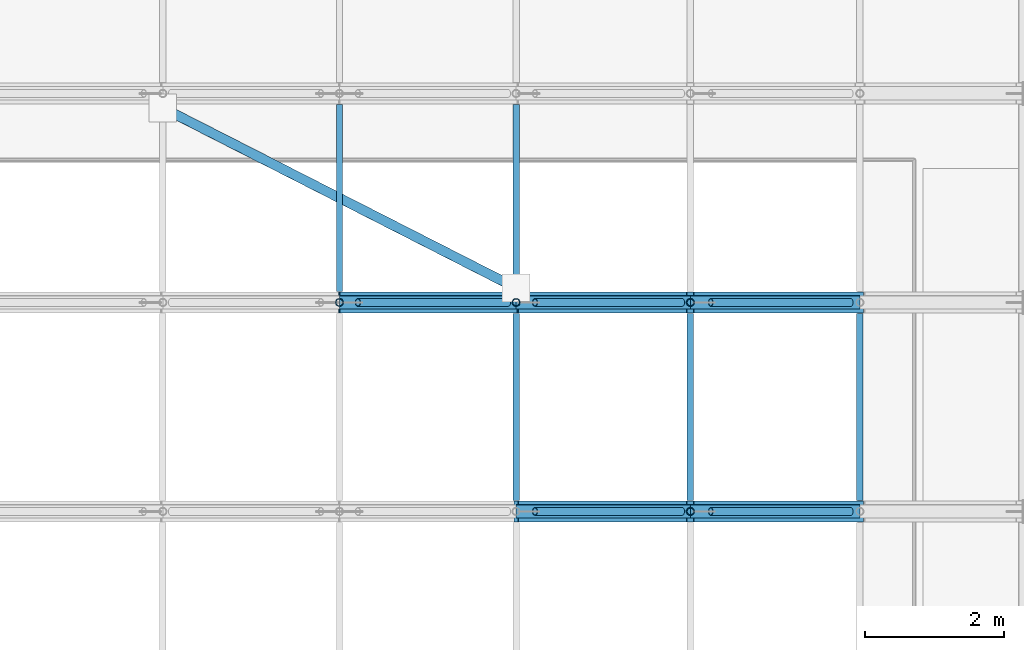
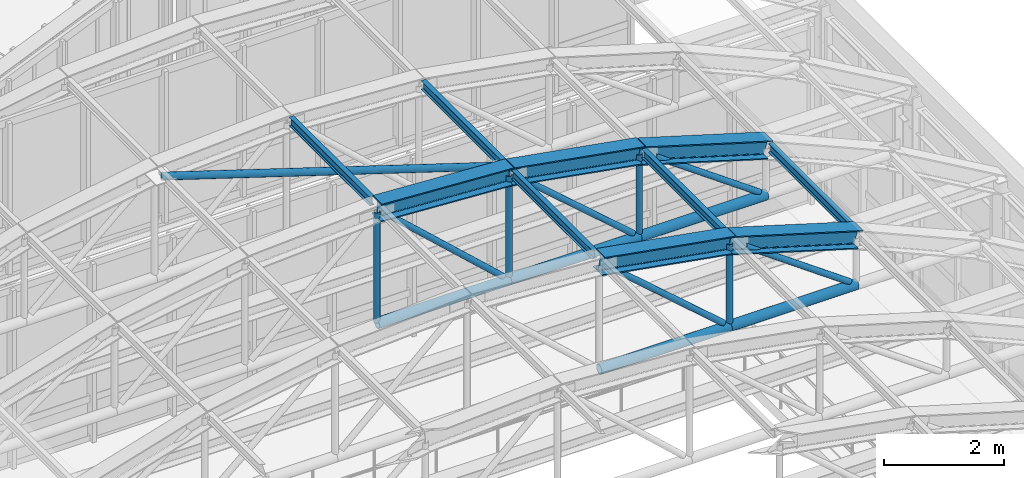
# One storey, part 68 of 148: 15 members, 10 beams.
"""IFC4 building model written with IfcOpenShell, lengths in metres."""

from ifc_helpers import new_model, si_unit, direction, frame, origin, origin_2d, place, context, subcontext, project, spatial, hollow_circle, i_section, extrude, material, material_profile, profile_set, type_object, element, save


model = new_model("IFC4")

# Units and contexts
model_context = context("Model", 3, precision=1e-05, world=origin(), true_north=direction((0.0, 1.0)))
body_context = subcontext(model_context, "Body", "Model", "MODEL_VIEW")
ifc_project = project(units=[si_unit("LENGTHUNIT", "METRE"), si_unit("AREAUNIT", "SQUARE_METRE"), si_unit("VOLUMEUNIT", "CUBIC_METRE"), si_unit("PLANEANGLEUNIT", "RADIAN"), si_unit("MASSUNIT", "GRAM", prefix="KILO"), si_unit("THERMODYNAMICTEMPERATUREUNIT", "KELVIN"), si_unit("POWERUNIT", "WATT")], contexts=[model_context])

# Site, building, storey
site_placement = place(None, origin())
site = spatial("IfcSite", under=ifc_project, at=site_placement, CompositionType="ELEMENT")
building_placement = place(site_placement, origin())
building = spatial("IfcBuilding", under=site, at=building_placement, Name="Solvatero Civic Police Headquarters", CompositionType="ELEMENT")
storey_placement = place(building_placement, frame((0.0, 0.0, 5.10009765625)))
storey = spatial("IfcBuildingStorey", under=building, at=storey_placement, Name="L01", CompositionType="ELEMENT", Elevation=5.10009765625)

# Beams
ifc_material = material(Name="Steel S355", Category="steel")
ifc_material_profile_1 = material_profile(ifc_material, i_section(OverallWidth=0.300048828125, OverallDepth=0.360107421875, WebThickness=0.012451171875, FlangeThickness=0.0224609375, FilletRadius=0.027099609375, at=origin_2d()), Name="HEB 360")
ifc_profile_set_1 = profile_set([ifc_material_profile_1], Name="Steel S355")
beam_type_1 = type_object("IfcBeamType", Name="BM-ST-HEB360", PredefinedType="BEAM", material=ifc_profile_set_1)
beam_1_placement = place(storey_placement, frame((79.335693359375, 53.5, 7.306640625), z_axis=(0.984752581279, 0.0, -0.173960781975), x_axis=(0.0, 1.0, 0.0)))
element("IfcBeam", 1, at=beam_1_placement, inside=storey, type_object=beam_type_1, Name="VLT2 Tied-Arch Vault Top Chord F5.7", PredefinedType="BEAM", context=body_context, shape_type="SweptSolid", body=[
    extrude(i_section(OverallWidth=0.300048828125, OverallDepth=0.360107421875, WebThickness=0.012451171875, FlangeThickness=0.0224609375, FilletRadius=0.027099609375, at=origin_2d()), origin(), (0.0, 0.0, 1.0), 2.540283203125),
])
for number, where, z_axis, x_axis, name in (
    (2, (81.837158203125, 53.5, 6.85498046875), (0.957813056997, 0.0, -0.287391975958), (0.0, 1.0, 0.0), "VLT2 Tied-Arch Vault Top Chord F5.8"),
    (3, (76.800048828125, 56.5, 7.459228515625), (0.99830210262, 0.0, -0.058248707316), (0.0, 1.0, 0.0), "VLT2 Tied-Arch Vault Top Chord F6.6"),
):
    element("IfcBeam", number, at=place(storey_placement, frame(where, z_axis=z_axis, x_axis=x_axis)), inside=storey, type_object=beam_type_1, Name=name, PredefinedType="BEAM", context=body_context, shape_type="SweptSolid", body=[
        extrude(i_section(OverallWidth=0.300048828125, OverallDepth=0.360107421875, WebThickness=0.012451171875, FlangeThickness=0.0224609375, FilletRadius=0.027099609375, at=origin_2d()), origin(), (0.0, 0.0, 1.0), 2.5400390625),
    ])
beam_2_placement = place(storey_placement, frame((79.335693359375, 56.5, 7.306640625), z_axis=(0.984752581279, 0.0, -0.173960781975), x_axis=(0.0, 1.0, 0.0)))
element("IfcBeam", 4, at=beam_2_placement, inside=storey, type_object=beam_type_1, Name="VLT2 Tied-Arch Vault Top Chord F6.7", PredefinedType="BEAM", context=body_context, shape_type="SweptSolid", body=[
    extrude(i_section(OverallWidth=0.300048828125, OverallDepth=0.360107421875, WebThickness=0.012451171875, FlangeThickness=0.0224609375, FilletRadius=0.027099609375, at=origin_2d()), origin(), (0.0, 0.0, 1.0), 2.540283203125),
])
beam_3_placement = place(storey_placement, frame((81.837158203125, 56.5, 6.85498046875), z_axis=(0.957813056997, 0.0, -0.287391975958), x_axis=(0.0, 1.0, 0.0)))
element("IfcBeam", 5, at=beam_3_placement, inside=storey, type_object=beam_type_1, Name="VLT2 Tied-Arch Vault Top Chord F6.8", PredefinedType="BEAM", context=body_context, shape_type="SweptSolid", body=[
    extrude(i_section(OverallWidth=0.300048828125, OverallDepth=0.360107421875, WebThickness=0.012451171875, FlangeThickness=0.0224609375, FilletRadius=0.027099609375, at=origin_2d()), origin(), (0.0, 0.0, 1.0), 2.5400390625),
])
ifc_material_profile_2 = material_profile(ifc_material, i_section(OverallWidth=0.091064453125, OverallDepth=0.179931640625, WebThickness=0.00537109375, FlangeThickness=0.008056640625, FilletRadius=0.009033203125, at=origin_2d()), Name="IPE 180")
ifc_profile_set_2 = profile_set([ifc_material_profile_2], Name="Steel S355")
beam_type_2 = type_object("IfcBeamType", Name="BM-ST-IPE180", PredefinedType="JOIST", material=ifc_profile_set_2)
for number, where, z_axis, x_axis, name in (
    (6, (79.335693359375, 53.657958984375, 7.37451171875), (0.0, 1.0, 0.0), (-1.0, 0.0, 0.0), "VLT2 Vault Roof Purlin B5.6"),
    (7, (81.837158203125, 53.657958984375, 6.927978515625), (0.0, 1.0, 0.0), (-1.0, 0.0, 0.0), "VLT2 Vault Roof Purlin B5.7"),
    (8, (84.27001953125, 53.657958984375, 6.19091796875), (0.0, 1.0, 0.0), (-1.0, 0.0, 0.0), "VLT2 Vault Roof Purlin B5.8"),
    (9, (76.800048828125, 56.657958984375, 7.524658203125), (0.0, 1.0, 0.0), (-1.0, 0.0, 0.0), "VLT2 Vault Roof Purlin B6.5"),
    (10, (79.335693359375, 56.657958984375, 7.37451171875), (0.0, 1.0, 0.0), (-1.0, 0.0, 0.0), "VLT2 Vault Roof Purlin B6.6"),
):
    element("IfcBeam", number, at=place(storey_placement, frame(where, z_axis=z_axis, x_axis=x_axis)), inside=storey, type_object=beam_type_2, Name=name, PredefinedType="JOIST", context=body_context, shape_type="SweptSolid", body=[
        extrude(i_section(OverallWidth=0.091064453125, OverallDepth=0.179931640625, WebThickness=0.00537109375, FlangeThickness=0.008056640625, FilletRadius=0.009033203125, at=origin_2d()), origin(), (0.0, 0.0, 1.0), 2.68408203125),
    ])

# Members
ifc_material_profile_3 = material_profile(ifc_material, hollow_circle(Radius=0.06982421875, WallThickness=0.008056640625, at=origin_2d()), Name="CHS 139.7x8.0")
ifc_profile_set_3 = profile_set([ifc_material_profile_3], Name="Steel S355")
member_type_1 = type_object("IfcMemberType", Name="MB-BR-CHS140", PredefinedType="BRACE", material=ifc_profile_set_3)
member_1_placement = place(storey_placement, frame((79.335693359375, 56.7080078125, 7.31591796875), z_axis=(-0.891012981308, 0.453977826706, 0.0), x_axis=(-0.453977826706, -0.891012981308, 0.0)))
element("IfcMember", 11, at=member_1_placement, inside=storey, type_object=member_type_1, Name="VLT2 Vault Single Diagonal Wind Brace B6", PredefinedType="BRACE", context=body_context, shape_type="SweptSolid", body=[
    extrude(hollow_circle(Radius=0.06982421875, WallThickness=0.008056640625, at=origin_2d()), origin(), (0.0, 0.0, 1.0), 5.69189453125),
])
ifc_material_profile_4 = material_profile(ifc_material, hollow_circle(Radius=0.05712890625, WallThickness=0.008056640625, at=origin_2d()), Name="CHS 114.3x8.0")
ifc_profile_set_4 = profile_set([ifc_material_profile_4], Name="Steel S355")
member_type_2 = type_object("IfcMemberType", Name="MB-HNG-CHS114", PredefinedType="STRUT", material=ifc_profile_set_4)
member_2_placement = place(storey_placement, frame((81.716552734375, 53.5, 5.2412109375), z_axis=(-0.753915676924, 0.0, 0.656971195783), x_axis=(0.0, -1.0, 0.0)))
element("IfcMember", 12, at=member_2_placement, inside=storey, type_object=member_type_2, Name="VLT2 Vault Truss Diagonal Web F5.6", PredefinedType="STRUT", context=body_context, shape_type="SweptSolid", body=[
    extrude(hollow_circle(Radius=0.05712890625, WallThickness=0.008056640625, at=origin_2d()), origin(), (0.0, 0.0, 1.0), 2.7978515625),
])
member_3_placement = place(storey_placement, frame((84.139892578125, 53.5, 5.229248046875), z_axis=(-0.813766862459, 0.0, 0.581191443126), x_axis=(0.0, -1.0, 0.0)))
element("IfcMember", 13, at=member_3_placement, inside=storey, type_object=member_type_2, Name="VLT2 Vault Truss Diagonal Web F5.7", PredefinedType="STRUT", context=body_context, shape_type="SweptSolid", body=[
    extrude(hollow_circle(Radius=0.05712890625, WallThickness=0.008056640625, at=origin_2d()), origin(), (0.0, 0.0, 1.0), 2.469970703125),
])
member_4_placement = place(storey_placement, frame((81.837158203125, 53.5, 5.17626953125), z_axis=(0.0, 0.0, 1.0), x_axis=(1.0, 0.0, 0.0)))
element("IfcMember", 14, at=member_4_placement, inside=storey, type_object=member_type_2, Name="VLT2 Vault Vertical Hanger F5.7", PredefinedType="STRUT", context=body_context, shape_type="SweptSolid", body=[
    extrude(hollow_circle(Radius=0.05712890625, WallThickness=0.008056640625, at=origin_2d()), origin(), (0.0, 0.0, 1.0), 1.647705078125),
])
member_5_placement = place(storey_placement, frame((79.218017578125, 56.5, 5.244384765625), z_axis=(-0.736703146359, 0.0, 0.676216292428), x_axis=(0.0, -1.0, 0.0)))
element("IfcMember", 15, at=member_5_placement, inside=storey, type_object=member_type_2, Name="VLT2 Vault Truss Diagonal Web F6.5", PredefinedType="STRUT", context=body_context, shape_type="SweptSolid", body=[
    extrude(hollow_circle(Radius=0.05712890625, WallThickness=0.008056640625, at=origin_2d()), origin(), (0.0, 0.0, 1.0), 2.92236328125),
])
member_6_placement = place(storey_placement, frame((81.716552734375, 56.5, 5.2412109375), z_axis=(-0.753915676924, 0.0, 0.656971195783), x_axis=(0.0, -1.0, 0.0)))
element("IfcMember", 16, at=member_6_placement, inside=storey, type_object=member_type_2, Name="VLT2 Vault Truss Diagonal Web F6.6", PredefinedType="STRUT", context=body_context, shape_type="SweptSolid", body=[
    extrude(hollow_circle(Radius=0.05712890625, WallThickness=0.008056640625, at=origin_2d()), origin(), (0.0, 0.0, 1.0), 2.7978515625),
])
member_7_placement = place(storey_placement, frame((84.139892578125, 56.5, 5.229248046875), z_axis=(-0.813766862459, 0.0, 0.581191443126), x_axis=(0.0, -1.0, 0.0)))
element("IfcMember", 17, at=member_7_placement, inside=storey, type_object=member_type_2, Name="VLT2 Vault Truss Diagonal Web F6.7", PredefinedType="STRUT", context=body_context, shape_type="SweptSolid", body=[
    extrude(hollow_circle(Radius=0.05712890625, WallThickness=0.008056640625, at=origin_2d()), origin(), (0.0, 0.0, 1.0), 2.469970703125),
])
member_8_placement = place(storey_placement, frame((76.800048828125, 56.5, 5.17626953125), z_axis=(0.0, 0.0, 1.0), x_axis=(1.0, 0.0, 0.0)))
element("IfcMember", 18, at=member_8_placement, inside=storey, type_object=member_type_2, Name="VLT2 Vault Vertical Hanger F6.5", PredefinedType="STRUT", context=body_context, shape_type="SweptSolid", body=[
    extrude(hollow_circle(Radius=0.05712890625, WallThickness=0.008056640625, at=origin_2d()), origin(), (0.0, 0.0, 1.0), 2.237548828125),
])
member_9_placement = place(storey_placement, frame((79.335693359375, 56.5, 5.17626953125), z_axis=(0.0, 0.0, 1.0), x_axis=(1.0, 0.0, 0.0)))
element("IfcMember", 19, at=member_9_placement, inside=storey, type_object=member_type_2, Name="VLT2 Vault Vertical Hanger F6.6", PredefinedType="STRUT", context=body_context, shape_type="SweptSolid", body=[
    extrude(hollow_circle(Radius=0.05712890625, WallThickness=0.008056640625, at=origin_2d()), origin(), (0.0, 0.0, 1.0), 2.089599609375),
])
member_10_placement = place(storey_placement, frame((81.837158203125, 56.5, 5.17626953125), z_axis=(0.0, 0.0, 1.0), x_axis=(1.0, 0.0, 0.0)))
element("IfcMember", 20, at=member_10_placement, inside=storey, type_object=member_type_2, Name="VLT2 Vault Vertical Hanger F6.7", PredefinedType="STRUT", context=body_context, shape_type="SweptSolid", body=[
    extrude(hollow_circle(Radius=0.05712890625, WallThickness=0.008056640625, at=origin_2d()), origin(), (0.0, 0.0, 1.0), 1.647705078125),
])
ifc_material_profile_5 = material_profile(ifc_material, hollow_circle(Radius=0.096923828125, WallThickness=0.010009765625, at=origin_2d()), Name="CHS 193.7x10.0")
ifc_profile_set_5 = profile_set([ifc_material_profile_5], Name="Steel S355")
member_type_3 = type_object("IfcMemberType", Name="MB-TIE-CHS194", PredefinedType="CHORD", material=ifc_profile_set_5)
member_11_placement = place(storey_placement, frame((79.335693359375, 53.5, 5.13623046875), z_axis=(1.0, 0.0, 0.0), x_axis=(0.0, 1.0, 0.0)))
element("IfcMember", 21, at=member_11_placement, inside=storey, type_object=member_type_3, Name="VLT2 Vault Horizontal Tie Chord F5.6", PredefinedType="CHORD", context=body_context, shape_type="SweptSolid", body=[
    extrude(hollow_circle(Radius=0.096923828125, WallThickness=0.010009765625, at=origin_2d()), origin(), (0.0, 0.0, 1.0), 2.50146484375),
])
member_12_placement = place(storey_placement, frame((81.837158203125, 53.5, 5.13623046875), z_axis=(1.0, 0.0, 0.0), x_axis=(0.0, 1.0, 0.0)))
element("IfcMember", 22, at=member_12_placement, inside=storey, type_object=member_type_3, Name="VLT2 Vault Horizontal Tie Chord F5.7", PredefinedType="CHORD", context=body_context, shape_type="SweptSolid", body=[
    extrude(hollow_circle(Radius=0.096923828125, WallThickness=0.010009765625, at=origin_2d()), origin(), (0.0, 0.0, 1.0), 2.432861328125),
])
member_13_placement = place(storey_placement, frame((76.800048828125, 56.5, 5.13623046875), z_axis=(1.0, 0.0, 0.0), x_axis=(0.0, 1.0, 0.0)))
element("IfcMember", 23, at=member_13_placement, inside=storey, type_object=member_type_3, Name="VLT2 Vault Horizontal Tie Chord F6.5", PredefinedType="CHORD", context=body_context, shape_type="SweptSolid", body=[
    extrude(hollow_circle(Radius=0.096923828125, WallThickness=0.010009765625, at=origin_2d()), origin(), (0.0, 0.0, 1.0), 2.53564453125),
])
member_14_placement = place(storey_placement, frame((79.335693359375, 56.5, 5.13623046875), z_axis=(1.0, 0.0, 0.0), x_axis=(0.0, 1.0, 0.0)))
element("IfcMember", 24, at=member_14_placement, inside=storey, type_object=member_type_3, Name="VLT2 Vault Horizontal Tie Chord F6.6", PredefinedType="CHORD", context=body_context, shape_type="SweptSolid", body=[
    extrude(hollow_circle(Radius=0.096923828125, WallThickness=0.010009765625, at=origin_2d()), origin(), (0.0, 0.0, 1.0), 2.50146484375),
])
member_15_placement = place(storey_placement, frame((81.837158203125, 56.5, 5.13623046875), z_axis=(1.0, 0.0, 0.0), x_axis=(0.0, 1.0, 0.0)))
element("IfcMember", 25, at=member_15_placement, inside=storey, type_object=member_type_3, Name="VLT2 Vault Horizontal Tie Chord F6.7", PredefinedType="CHORD", context=body_context, shape_type="SweptSolid", body=[
    extrude(hollow_circle(Radius=0.096923828125, WallThickness=0.010009765625, at=origin_2d()), origin(), (0.0, 0.0, 1.0), 2.432861328125),
])

save(model, "model.ifc")
